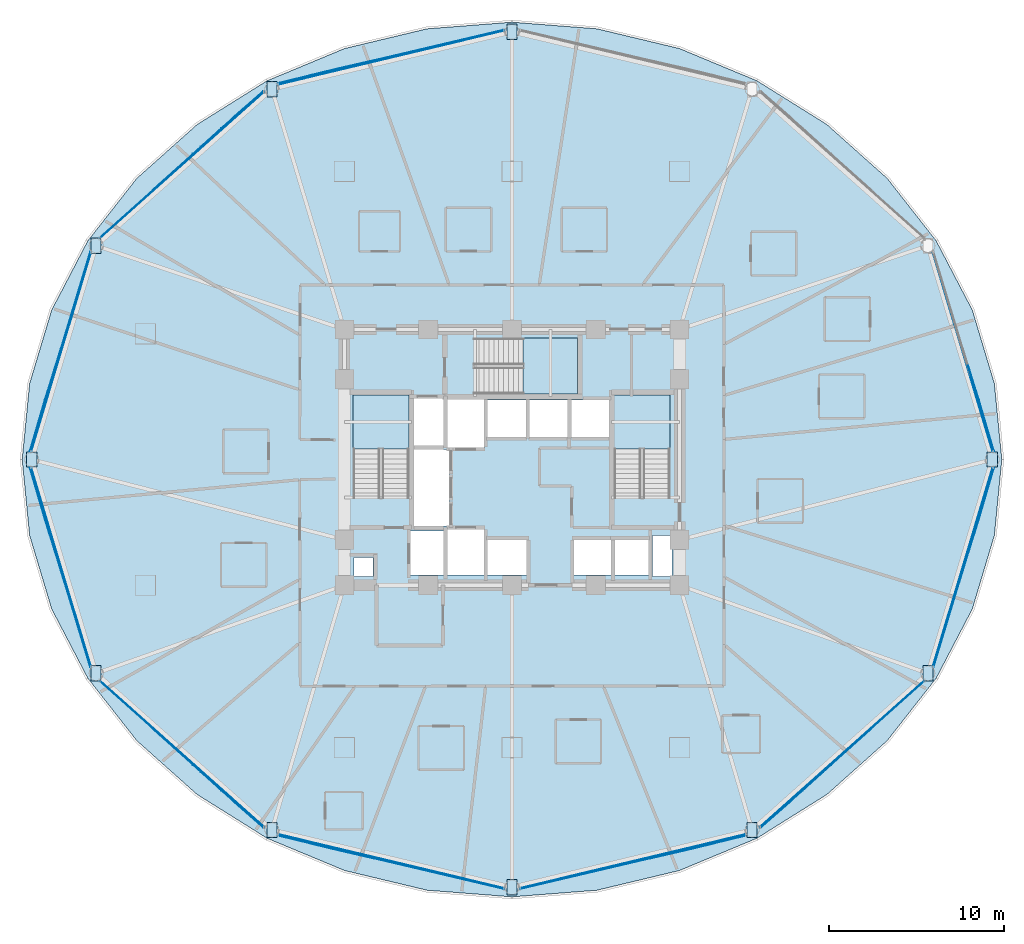
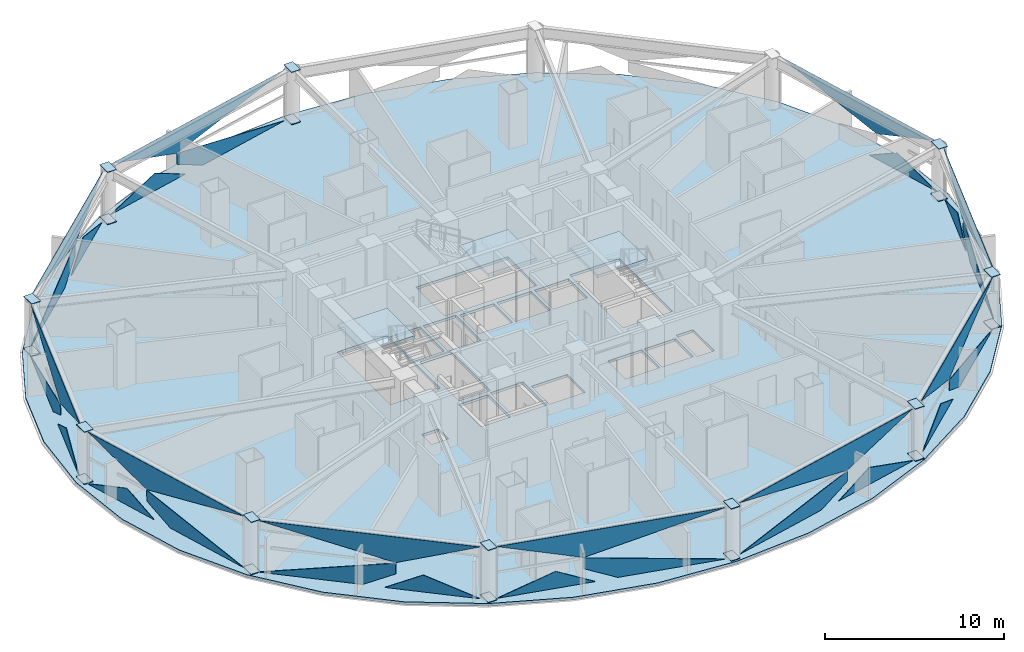
# One storey, part 20 of 30: 49 plates, 4 slabs, 13 elements without a shape of their own.
"""IFC4 building model written with IfcOpenShell, lengths in metres."""

from ifc_helpers import new_model, si_unit, direction, frame, origin, place, context, subcontext, project, spatial, polyline, outline, extrude, material, layer, layer_set, type_object, element, aggregate, save


model = new_model("IFC4")

# Units and contexts
model_context = context("Model", 3, precision=1e-05, world=origin(), true_north=direction((0.0, 1.0)))
body_context = subcontext(model_context, "Body", "Model", "MODEL_VIEW")
ifc_project = project(units=[si_unit("LENGTHUNIT", "METRE"), si_unit("AREAUNIT", "SQUARE_METRE"), si_unit("VOLUMEUNIT", "CUBIC_METRE"), si_unit("PLANEANGLEUNIT", "RADIAN"), si_unit("MASSUNIT", "GRAM", prefix="KILO")], contexts=[model_context])

# Site, building, storey
site_placement = place(None, origin())
site = spatial("IfcSite", under=ifc_project, at=site_placement, CompositionType="ELEMENT")
building_placement = place(site_placement, origin())
building = spatial("IfcBuilding", under=site, at=building_placement, Name="Vantalir Tower", CompositionType="ELEMENT")
storey_placement = place(building_placement, frame((0.0, 0.0, 83.25)))
storey = spatial("IfcBuildingStorey", under=building, at=storey_placement, Name="L20", CompositionType="ELEMENT", Elevation=83.25)

# Curtain wall, plates
ifc_material_1 = material(Name="Champagne-silver PVDF aluminium and double-silver Low-E glass", Category="aluminium")
ifc_layer_1 = layer(ifc_material_1, 0.18994140625)
ifc_layer_set_1 = layer_set([ifc_layer_1], Name="Champagne-silver PVDF aluminium and double-silver Low-E glass")
curtain_wall_type = type_object("IfcCurtainWallType", Name="CW-DIAMOND-Z1", PredefinedType="USERDEFINED", material=ifc_layer_set_1)
curtain_wall_1_placement = place(storey_placement, origin())
curtain_wall_1 = element("IfcCurtainWall", 1, at=curtain_wall_1_placement, inside=storey, type_object=curtain_wall_type, Name="L20 Quilted Pyramid-Diamond Curtain Wall S01", ObjectType="UNITISED CURTAIN WALL", PredefinedType="USERDEFINED")
ifc_material_2 = material(Name="Double-silver Low-E laminated glass IGU", Category="glass")
ifc_layer_2 = layer(ifc_material_2, 0.028076171875)
ifc_layer_set_2 = layer_set([ifc_layer_2], Name="Double-silver Low-E laminated glass IGU")
plate_type_1 = type_object("IfcPlateType", Name="CWP-IGU-28", PredefinedType="CURTAIN_PANEL", material=ifc_layer_set_2)
plate_1_placement = place(storey_placement, frame((59.0810546875, 25.4736328125, 0.046142578125), z_axis=(-0.957578167672, -0.287842441174, 0.013812380544), x_axis=(-0.287869902661, 0.957669525015, 0.0)))
plate_1 = element("IfcPlate", 2, at=plate_1_placement, type_object=plate_type_1, Name="CW-L20-S01 Pyramid Diamond Facet 1L Infill Light", PredefinedType="CURTAIN_PANEL", context=body_context, shape_type="SweptSolid", body=[
    extrude(outline(polyline([(0.0, 0.0), (5.1055235330784425, -3.469446951953614e-18), (3.0281352435632543, -1.1539186723736612), (0.0, 0.0)])), origin(), (0.0, 0.0, -1.0), 0.028076171875),
])
plate_2_placement = place(storey_placement, frame((55.61962890625, 36.877685546875, 3.523681640625), z_axis=(0.95757664021, 0.287852377892, 0.013710822934), x_axis=(0.287879706856, -0.957666577657, -2.0485285e-05)))
plate_2 = element("IfcPlate", 3, at=plate_2_placement, type_object=plate_type_1, Name="CW-L20-S01 Pyramid Diamond Facet 2U", PredefinedType="CURTAIN_PANEL", context=body_context, shape_type="SweptSolid", body=[
    extrude(outline(polyline([(0.0, 0.0), (11.917853608351962, -9.215718466126788e-18), (7.385928592858623, 1.727061818687936), (0.0, 0.0)])), origin(), (0.0, 0.0, -1.0), 0.028076171875),
])
aggregate(curtain_wall_1, [plate_1, plate_2])

curtain_wall_2_placement = place(storey_placement, origin())
curtain_wall_2 = element("IfcCurtainWall", 4, at=curtain_wall_2_placement, inside=storey, type_object=curtain_wall_type, Name="L20 Quilted Pyramid-Diamond Curtain Wall S04", ObjectType="UNITISED CURTAIN WALL", PredefinedType="USERDEFINED")
plate_3_placement = place(storey_placement, frame((31.0283203125, 49.572265625, 0.046142578125), z_axis=(0.232281713056, -0.972552925951, 0.013638621756), x_axis=(-0.972643514802, -0.232302801509, 3.9043328e-05)))
plate_3 = element("IfcPlate", 5, at=plate_3_placement, type_object=plate_type_1, Name="CW-L20-S04 Pyramid Diamond Facet 1L", PredefinedType="CURTAIN_PANEL", context=body_context, shape_type="SweptSolid", body=[
    extrude(outline(polyline([(0.0, 0.0), (6.246823008812021, -4.1470733097570545e-18), (8.220558200136333, -0.9924471318850434), (8.22045547529133, -1.727622693388198), (0.0, 0.0)])), origin(), (0.0, 0.0, -1.0), 0.028076171875),
])
plate_4_placement = place(storey_placement, frame((23.66796875, 47.84716796875, 0.0458984375), z_axis=(0.232310272364, -0.972545196224, 0.01370323522), x_axis=(-0.972636520701, -0.232332086892, 0.0)))
plate_4 = element("IfcPlate", 6, at=plate_4_placement, type_object=plate_type_1, Name="CW-L20-S04 Pyramid Diamond Facet 1L Infill Light", PredefinedType="CURTAIN_PANEL", context=body_context, shape_type="SweptSolid", body=[
    extrude(outline(polyline([(0.0, 0.0), (5.704934995658698, 3.469446951953614e-18), (2.3112519453179154, -1.1624626635871735), (0.0, 0.0)])), origin(), (0.0, 0.0, -1.0), 0.028076171875),
])
plate_5_placement = place(storey_placement, frame((18.126708984375, 46.49072265625, 3.523681640625), z_axis=(-0.232292947005, 0.972549578868, 0.013685883798), x_axis=(0.972640672594, 0.232314704693, 0.0)))
plate_5 = element("IfcPlate", 7, at=plate_5_placement, type_object=plate_type_1, Name="CW-L20-S04 Pyramid Diamond Facet 2U", PredefinedType="CURTAIN_PANEL", context=body_context, shape_type="SweptSolid", body=[
    extrude(outline(polyline([(0.0, 0.0), (13.264519664513143, 0.0), (5.044131930112204, 1.7277008722142413), (0.0, 0.0)])), origin(), (0.0, 0.0, -1.0), 0.028076171875),
])
aggregate(curtain_wall_2, [plate_3, plate_4, plate_5])

curtain_wall_3_placement = place(storey_placement, origin())
curtain_wall_3 = element("IfcCurtainWall", 8, at=curtain_wall_3_placement, inside=storey, type_object=curtain_wall_type, Name="L20 Quilted Pyramid-Diamond Curtain Wall S05", ObjectType="UNITISED CURTAIN WALL", PredefinedType="USERDEFINED")
plate_6_placement = place(storey_placement, frame((12.30859375, 41.611328125, 0.04638671875), z_axis=(0.665413720799, -0.746346969178, 0.01381237749), x_axis=(-0.746418173633, -0.665477204771, -4.696e-08)))
plate_6 = element("IfcPlate", 9, at=plate_6_placement, type_object=plate_type_1, Name="CW-L20-S05 Pyramid Diamond Facet 1L", PredefinedType="CURTAIN_PANEL", context=body_context, shape_type="SweptSolid", body=[
    extrude(outline(polyline([(0.0, 0.0), (5.930358135075642, -6.938893903907228e-18), (-1.879103915347953, -1.7274596253965182), (-1.8791697780892642, -0.9905726449986574), (0.0, 0.0)])), origin(), (0.0, 0.0, -1.0), 0.028076171875),
])
plate_7_placement = place(storey_placement, frame((17.271728515625, 46.0791015625, 0.046142578125), z_axis=(0.665405108948, -0.746355021701, 0.013792119775), x_axis=(-0.746425603867, -0.665468869188, -4.5101245e-05)))
plate_7 = element("IfcPlate", 10, at=plate_7_placement, type_object=plate_type_1, Name="CW-L20-S05 Pyramid Diamond Facet 1L Infill Light", PredefinedType="CURTAIN_PANEL", context=body_context, shape_type="SweptSolid", body=[
    extrude(outline(polyline([(0.0, 0.0), (5.41316820165072, 1.599198204416119e-18), (3.2166018836280044, -1.1579700589344415), (0.0, 0.0)])), origin(), (0.0, 0.0, -1.0), 0.028076171875),
])
plate_8_placement = place(storey_placement, frame((7.882080078125, 37.664794921875, 3.523681640625), z_axis=(-0.665424845169, 0.746338025674, 0.013759609903), x_axis=(0.74640850916, 0.665488044279, -1.9363595e-05)))
plate_8 = element("IfcPlate", 11, at=plate_8_placement, type_object=plate_type_1, Name="CW-L20-S05 Pyramid Diamond Facet 2U", PredefinedType="CURTAIN_PANEL", context=body_context, shape_type="SweptSolid", body=[
    extrude(outline(polyline([(0.0, 0.0), (12.608228009702824, 2.211772431870429e-17), (7.809495760461444, 1.727307222853719), (0.0, 0.0)])), origin(), (0.0, 0.0, -1.0), 0.028076171875),
])
aggregate(curtain_wall_3, [plate_6, plate_7, plate_8])

curtain_wall_4_placement = place(storey_placement, origin())
curtain_wall_4 = element("IfcCurtainWall", 12, at=curtain_wall_4_placement, inside=storey, type_object=curtain_wall_type, Name="L20 Quilted Pyramid-Diamond Curtain Wall S06", ObjectType="UNITISED CURTAIN WALL", PredefinedType="USERDEFINED")
plate_9_placement = place(storey_placement, frame((7.38037109375, 36.877685546875, 0.04638671875), z_axis=(0.957578742178, -0.287846468105, 0.013688072475), x_axis=(-0.287873440575, -0.957668461531, 2.09266e-07)))
plate_9 = element("IfcPlate", 13, at=plate_9_placement, type_object=plate_type_1, Name="CW-L20-S06 Pyramid Diamond Facet 1L", PredefinedType="CURTAIN_PANEL", context=body_context, shape_type="SweptSolid", body=[
    extrude(outline(polyline([(0.0, 0.0), (5.597064399587824, -6.938893903907228e-18), (7.385653867594338, -0.9937438981254719), (7.385893421593796, -1.727212222603705), (0.0, 0.0)])), origin(), (0.0, 0.0, -1.0), 0.028076171875),
])
plate_10_placement = place(storey_placement, frame((5.388671875, 30.363037109375, 0.046142578125), z_axis=(0.957578167672, -0.287842441174, 0.013812380544), x_axis=(-0.287869902661, -0.957669525015, 0.0)))
plate_10 = element("IfcPlate", 14, at=plate_10_placement, type_object=plate_type_1, Name="CW-L20-S06 Pyramid Diamond Facet 1L Infill Light", PredefinedType="CURTAIN_PANEL", context=body_context, shape_type="SweptSolid", body=[
    extrude(outline(polyline([(0.0, 0.0), (5.1055235330784425, 3.469446951953614e-18), (2.0773882895151883, -1.1539186723736612), (0.0, 0.0)])), origin(), (0.0, 0.0, -1.0), 0.028076171875),
])
plate_11_placement = place(storey_placement, frame((3.949462890625, 25.46435546875, 3.5234375), z_axis=(-0.95757664021, 0.287852377892, 0.013710822934), x_axis=(0.287879706856, 0.957666577657, 2.0485285e-05)))
plate_11 = element("IfcPlate", 15, at=plate_11_placement, type_object=plate_type_1, Name="CW-L20-S06 Pyramid Diamond Facet 2U", PredefinedType="CURTAIN_PANEL", context=body_context, shape_type="SweptSolid", body=[
    extrude(outline(polyline([(0.0, 0.0), (11.917853608351962, 9.215718466126788e-18), (4.531925015493341, 1.727061818687936), (0.0, 0.0)])), origin(), (0.0, 0.0, -1.0), 0.028076171875),
])
aggregate(curtain_wall_4, [plate_9, plate_10, plate_11])

curtain_wall_5_placement = place(storey_placement, origin())
curtain_wall_5 = element("IfcCurtainWall", 16, at=curtain_wall_5_placement, inside=storey, type_object=curtain_wall_type, Name="L20 Quilted Pyramid-Diamond Curtain Wall S07", ObjectType="UNITISED CURTAIN WALL", PredefinedType="USERDEFINED")
plate_12_placement = place(storey_placement, frame((5.76904296875, 18.48193359375, 0.04638671875), z_axis=(0.957587837711, 0.287814572904, 0.013722415693), x_axis=(0.287841679358, -0.957678008322, -3.20296e-07)))
plate_12 = element("IfcPlate", 17, at=plate_12_placement, type_object=plate_type_1, Name="CW-L20-S07 Pyramid Diamond Facet 1L", PredefinedType="CURTAIN_PANEL", context=body_context, shape_type="SweptSolid", body=[
    extrude(outline(polyline([(0.0, 0.0), (5.597532009886877, -3.469446951953614e-18), (-1.7888284286821192, -1.7272128370936624), (-1.7888229371678879, -0.9937435456248505), (0.0, 0.0)])), origin(), (0.0, 0.0, -1.0), 0.028076171875),
])
plate_13_placement = place(storey_placement, frame((3.9189453125, 24.5263671875, 0.046142578125), z_axis=(0.957586241187, 0.287816125216, 0.013801041839), x_axis=(0.287843539121, -0.957677449346, 0.0)))
plate_13 = element("IfcPlate", 18, at=plate_13_placement, type_object=plate_type_1, Name="CW-L20-S07 Pyramid Diamond Facet 1L Infill Light", PredefinedType="CURTAIN_PANEL", context=body_context, shape_type="SweptSolid", body=[
    extrude(outline(polyline([(0.0, 0.0), (5.105991147085944, 0.0), (3.0283694891498683, -1.1539184916930134), (0.0, 0.0)])), origin(), (0.0, 0.0, -1.0), 0.028076171875),
])
plate_14_placement = place(storey_placement, frame((7.38037109375, 13.121337890625, 3.523681640625), z_axis=(-0.95758317367, -0.2878297138, 0.013730308029), x_axis=(-0.287857117969, 0.957673367707, -2.0483677e-05)))
plate_14 = element("IfcPlate", 19, at=plate_14_placement, type_object=plate_type_1, Name="CW-L20-S07 Pyramid Diamond Facet 2U", PredefinedType="CURTAIN_PANEL", context=body_context, shape_type="SweptSolid", body=[
    extrude(outline(polyline([(0.0, 0.0), (11.918788832934789, -4.336808689942018e-19), (7.386395643442273, 1.7270622828043372), (0.0, 0.0)])), origin(), (0.0, 0.0, -1.0), 0.028076171875),
])
aggregate(curtain_wall_5, [plate_12, plate_13, plate_14])

curtain_wall_6_placement = place(storey_placement, origin())
curtain_wall_6 = element("IfcCurtainWall", 20, at=curtain_wall_6_placement, inside=storey, type_object=curtain_wall_type, Name="L20 Quilted Pyramid-Diamond Curtain Wall S08", ObjectType="UNITISED CURTAIN WALL", PredefinedType="USERDEFINED")
plate_15_placement = place(storey_placement, frame((7.882080078125, 12.334228515625, 0.04638671875), z_axis=(0.665365004547, 0.746391028874, 0.0137783432), x_axis=(0.746461886458, -0.66542817198, 1.05114e-07)))
plate_15 = element("IfcPlate", 21, at=plate_15_placement, type_object=plate_type_1, Name="CW-L20-S08 Pyramid Diamond Facet 1L", PredefinedType="CURTAIN_PANEL", context=body_context, shape_type="SweptSolid", body=[
    extrude(outline(polyline([(0.0, 0.0), (5.930033204856878, -6.938893903907228e-18), (7.809039681000928, -0.9905717256744677), (7.80897319119249, -1.727458704903144), (0.0, 0.0)])), origin(), (0.0, 0.0, -1.0), 0.028076171875),
])
plate_16_placement = place(storey_placement, frame((13.231201171875, 7.522705078125, 0.0458984375), z_axis=(0.665355125604, 0.746400128192, 0.013762465867), x_axis=(0.746470410516, -0.665418608238, 4.5103952e-05)))
plate_16 = element("IfcPlate", 22, at=plate_16_placement, type_object=plate_type_1, Name="CW-L20-S08 Pyramid Diamond Facet 1L Infill Light", PredefinedType="CURTAIN_PANEL", context=body_context, shape_type="SweptSolid", body=[
    extrude(outline(polyline([(0.0, 0.0), (5.412843277949808, -4.092863201132779e-18), (2.196402785089413, -1.15796958718478), (0.0, 0.0)])), origin(), (0.0, 0.0, -1.0), 0.028076171875),
])
plate_17_placement = place(storey_placement, frame((17.29296875, 3.944580078125, 3.5234375), z_axis=(-0.665382198487, -0.746377060574, 0.013704502405), x_axis=(-0.746446983496, 0.665444889119, 1.9364593e-05)))
plate_17 = element("IfcPlate", 23, at=plate_17_placement, type_object=plate_type_1, Name="CW-L20-S08 Pyramid Diamond Facet 2U", PredefinedType="CURTAIN_PANEL", context=body_context, shape_type="SweptSolid", body=[
    extrude(outline(polyline([(0.0, 0.0), (12.607578140105895, 8.456776945386935e-18), (4.798571151473445, 1.7273059171567846), (0.0, 0.0)])), origin(), (0.0, 0.0, -1.0), 0.028076171875),
])
aggregate(curtain_wall_6, [plate_15, plate_16, plate_17])

curtain_wall_7_placement = place(storey_placement, origin())
curtain_wall_7 = element("IfcCurtainWall", 24, at=curtain_wall_7_placement, inside=storey, type_object=curtain_wall_type, Name="L20 Quilted Pyramid-Diamond Curtain Wall S09", ObjectType="UNITISED CURTAIN WALL", PredefinedType="USERDEFINED")
plate_18_placement = place(storey_placement, frame((24.952392578125, 1.87890625, 0.04638671875), z_axis=(0.232281713056, 0.972552925951, 0.013638621756), x_axis=(0.972643514802, -0.232302801509, -3.9043328e-05)))
plate_18 = element("IfcPlate", 25, at=plate_18_placement, type_object=plate_type_1, Name="CW-L20-S09 Pyramid Diamond Facet 1L", PredefinedType="CURTAIN_PANEL", context=body_context, shape_type="SweptSolid", body=[
    extrude(outline(polyline([(0.0, 0.0), (6.246823008812021, 4.1470733097570545e-18), (-1.9736324664793066, -1.7276226933881977), (-1.973735191324312, -0.9924471318850434), (0.0, 0.0)])), origin(), (0.0, 0.0, -1.0), 0.028076171875),
])
plate_19_placement = place(storey_placement, frame((18.119140625, 3.478271484375, 0.0458984375), z_axis=(0.232310272364, 0.972545196224, 0.01370323522), x_axis=(0.972636520701, -0.232332086892, 0.0)))
plate_19 = element("IfcPlate", 26, at=plate_19_placement, type_object=plate_type_1, Name="CW-L20-S09 Pyramid Diamond Facet 1L Infill Light", PredefinedType="CURTAIN_PANEL", context=body_context, shape_type="SweptSolid", body=[
    extrude(outline(polyline([(0.0, 0.0), (5.704934995658698, -3.469446951953614e-18), (3.3936830503407838, -1.1624626635871735), (0.0, 0.0)])), origin(), (0.0, 0.0, -1.0), 0.028076171875),
])
plate_20_placement = place(storey_placement, frame((31.0283203125, 0.427734375, 3.523681640625), z_axis=(-0.232292947005, -0.972549578868, 0.013685883798), x_axis=(-0.972640672594, 0.232314704693, 0.0)))
plate_20 = element("IfcPlate", 27, at=plate_20_placement, type_object=plate_type_1, Name="CW-L20-S09 Pyramid Diamond Facet 2U", PredefinedType="CURTAIN_PANEL", context=body_context, shape_type="SweptSolid", body=[
    extrude(outline(polyline([(0.0, 0.0), (13.264519664513143, 0.0), (8.22038773440094, 1.7277008722142413), (0.0, 0.0)])), origin(), (0.0, 0.0, -1.0), 0.028076171875),
])
aggregate(curtain_wall_7, [plate_18, plate_19, plate_20])

curtain_wall_8_placement = place(storey_placement, origin())
curtain_wall_8 = element("IfcCurtainWall", 28, at=curtain_wall_8_placement, inside=storey, type_object=curtain_wall_type, Name="L20 Quilted Pyramid-Diamond Curtain Wall S10", ObjectType="UNITISED CURTAIN WALL", PredefinedType="USERDEFINED")
plate_21_placement = place(storey_placement, frame((31.9716796875, 0.427734375, 0.046142578125), z_axis=(-0.232281713056, 0.972552925951, 0.013638621756), x_axis=(0.972643514802, 0.232302801509, 3.9043328e-05)))
plate_21 = element("IfcPlate", 29, at=plate_21_placement, type_object=plate_type_1, Name="CW-L20-S10 Pyramid Diamond Facet 1L", PredefinedType="CURTAIN_PANEL", context=body_context, shape_type="SweptSolid", body=[
    extrude(outline(polyline([(0.0, 0.0), (6.246823008812021, -4.1470733097570545e-18), (8.220558200136333, -0.9924471318850434), (8.22045547529133, -1.727622693388198), (0.0, 0.0)])), origin(), (0.0, 0.0, -1.0), 0.028076171875),
])
plate_22_placement = place(storey_placement, frame((39.33203125, 2.15283203125, 0.0458984375), z_axis=(-0.232310272364, 0.972545196224, 0.01370323522), x_axis=(0.972636520701, 0.232332086892, 0.0)))
plate_22 = element("IfcPlate", 30, at=plate_22_placement, type_object=plate_type_1, Name="CW-L20-S10 Pyramid Diamond Facet 1L Infill Light", PredefinedType="CURTAIN_PANEL", context=body_context, shape_type="SweptSolid", body=[
    extrude(outline(polyline([(0.0, 0.0), (5.704934995658698, 3.469446951953614e-18), (2.3112519453179154, -1.1624626635871735), (0.0, 0.0)])), origin(), (0.0, 0.0, -1.0), 0.028076171875),
])
plate_23_placement = place(storey_placement, frame((44.873291015625, 3.50927734375, 3.523681640625), z_axis=(0.232292947005, -0.972549578868, 0.013685883798), x_axis=(-0.972640672594, -0.232314704693, 0.0)))
plate_23 = element("IfcPlate", 31, at=plate_23_placement, type_object=plate_type_1, Name="CW-L20-S10 Pyramid Diamond Facet 2U", PredefinedType="CURTAIN_PANEL", context=body_context, shape_type="SweptSolid", body=[
    extrude(outline(polyline([(0.0, 0.0), (13.264519664513143, 0.0), (5.044131930112204, 1.7277008722142413), (0.0, 0.0)])), origin(), (0.0, 0.0, -1.0), 0.028076171875),
])
aggregate(curtain_wall_8, [plate_21, plate_22, plate_23])

curtain_wall_9_placement = place(storey_placement, origin())
curtain_wall_9 = element("IfcCurtainWall", 32, at=curtain_wall_9_placement, inside=storey, type_object=curtain_wall_type, Name="L20 Quilted Pyramid-Diamond Curtain Wall S11", ObjectType="UNITISED CURTAIN WALL", PredefinedType="USERDEFINED")
plate_24_placement = place(storey_placement, frame((50.69140625, 8.38818359375, 0.04638671875), z_axis=(-0.665365004547, 0.746391028874, 0.0137783432), x_axis=(0.746461886458, 0.66542817198, -1.05114e-07)))
plate_24 = element("IfcPlate", 33, at=plate_24_placement, type_object=plate_type_1, Name="CW-L20-S11 Pyramid Diamond Facet 1L", PredefinedType="CURTAIN_PANEL", context=body_context, shape_type="SweptSolid", body=[
    extrude(outline(polyline([(0.0, 0.0), (5.930033204856878, 6.938893903907228e-18), (-1.8789399863356115, -1.727458704903144), (-1.8790064761440508, -0.9905717256744677), (0.0, 0.0)])), origin(), (0.0, 0.0, -1.0), 0.028076171875),
])
plate_25_placement = place(storey_placement, frame((45.728271484375, 3.9208984375, 0.046142578125), z_axis=(-0.665355125604, 0.746400128192, 0.013762465867), x_axis=(0.746470410516, 0.665418608238, -4.5103952e-05)))
plate_25 = element("IfcPlate", 34, at=plate_25_placement, type_object=plate_type_1, Name="CW-L20-S11 Pyramid Diamond Facet 1L Infill Light", PredefinedType="CURTAIN_PANEL", context=body_context, shape_type="SweptSolid", body=[
    extrude(outline(polyline([(0.0, 0.0), (5.412843277949808, 4.092863201132779e-18), (3.2164404928603947, -1.15796958718478), (0.0, 0.0)])), origin(), (0.0, 0.0, -1.0), 0.028076171875),
])
plate_26_placement = place(storey_placement, frame((55.117919921875, 12.334228515625, 3.523681640625), z_axis=(0.665382198487, -0.746377060574, 0.013704502405), x_axis=(-0.746446983496, -0.665444889119, -1.9364593e-05)))
plate_26 = element("IfcPlate", 35, at=plate_26_placement, type_object=plate_type_1, Name="CW-L20-S11 Pyramid Diamond Facet 2U", PredefinedType="CURTAIN_PANEL", context=body_context, shape_type="SweptSolid", body=[
    extrude(outline(polyline([(0.0, 0.0), (12.607578140105895, -8.456776945386935e-18), (7.80900698863245, 1.7273059171567846), (0.0, 0.0)])), origin(), (0.0, 0.0, -1.0), 0.028076171875),
])
aggregate(curtain_wall_9, [plate_24, plate_25, plate_26])

curtain_wall_10_placement = place(storey_placement, origin())
curtain_wall_10 = element("IfcCurtainWall", 36, at=curtain_wall_10_placement, inside=storey, type_object=curtain_wall_type, Name="L20 Quilted Pyramid-Diamond Curtain Wall S12", ObjectType="UNITISED CURTAIN WALL", PredefinedType="USERDEFINED")
plate_27_placement = place(storey_placement, frame((55.61962890625, 13.121337890625, 0.04638671875), z_axis=(-0.957587837711, 0.287814572904, 0.013722415693), x_axis=(0.287841679358, 0.957678008322, 3.20296e-07)))
plate_27 = element("IfcPlate", 37, at=plate_27_placement, type_object=plate_type_1, Name="CW-L20-S12 Pyramid Diamond Facet 1L", PredefinedType="CURTAIN_PANEL", context=body_context, shape_type="SweptSolid", body=[
    extrude(outline(polyline([(0.0, 0.0), (5.597532009886877, 3.469446951953614e-18), (7.386354947054764, -0.9937435456248505), (7.386360438568997, -1.7272128370936624), (0.0, 0.0)])), origin(), (0.0, 0.0, -1.0), 0.028076171875),
])
plate_28_placement = place(storey_placement, frame((57.611328125, 19.636474609375, 0.046142578125), z_axis=(-0.957586241187, 0.287816125216, 0.013801041839), x_axis=(0.287843539121, 0.957677449346, 0.0)))
plate_28 = element("IfcPlate", 38, at=plate_28_placement, type_object=plate_type_1, Name="CW-L20-S12 Pyramid Diamond Facet 1L Infill Light", PredefinedType="CURTAIN_PANEL", context=body_context, shape_type="SweptSolid", body=[
    extrude(outline(polyline([(0.0, 0.0), (5.105991147085944, 0.0), (2.077621657936075, -1.1539184916930134), (0.0, 0.0)])), origin(), (0.0, 0.0, -1.0), 0.028076171875),
])
plate_29_placement = place(storey_placement, frame((59.050537109375, 24.53564453125, 3.5234375), z_axis=(0.95758317367, -0.2878297138, 0.013730308029), x_axis=(-0.287857117969, -0.957673367707, 2.0483677e-05)))
plate_29 = element("IfcPlate", 39, at=plate_29_placement, type_object=plate_type_1, Name="CW-L20-S12 Pyramid Diamond Facet 2U", PredefinedType="CURTAIN_PANEL", context=body_context, shape_type="SweptSolid", body=[
    extrude(outline(polyline([(0.0, 0.0), (11.918788832934789, 4.336808689942018e-19), (4.532393189492517, 1.727062282804337), (0.0, 0.0)])), origin(), (0.0, 0.0, -1.0), 0.028076171875),
])
aggregate(curtain_wall_10, [plate_27, plate_28, plate_29])

# Plates
ifc_material_3 = material(Name="Steel S460", Category="steel")
ifc_layer_3 = layer(ifc_material_3, 0.035888671875)
ifc_layer_set_3 = layer_set([ifc_layer_3], Name="Steel S460")
plate_type_2 = type_object("IfcPlateType", Name="PLT-KN-Z2", PredefinedType="USERDEFINED", material=ifc_layer_set_3)
for number, where, z_axis, x_axis, name in (
    (40, (58.7099609375, 25.43994140625, 3.597900390625), (0.0, 0.0, 1.0), (0.0, -1.0, 0.0), "L20 Ring Column Top Cap RC01"),
    (41, (58.7099609375, 25.43994140625, 0.052978515625), (0.0, 0.0, 1.0), (0.0, -1.0, 0.0), "L20 Ring Column Base Cap RC01"),
):
    element("IfcPlate", number, at=place(storey_placement, frame(where, z_axis=z_axis, x_axis=x_axis)), inside=storey, type_object=plate_type_2, Name=name, ObjectType="FLANGE_PLATE", PredefinedType="USERDEFINED", context=body_context, shape_type="SweptSolid", body=[
        extrude(outline(polyline([(0.0, 0.0), (0.8798828125, 0.0), (0.8798828125, 0.580078125), (0.0, 0.580078125), (0.0, 0.0)])), origin(), (0.0, 0.0, -1.0), 0.035888671875),
    ])
for number, where, z_axis, x_axis, name in (
    (42, (31.2099609375, 49.93505859375, 3.597900390625), (0.0, 0.0, 1.0), (0.0, -1.0, 0.0), "L20 Ring Column Top Cap RC04"),
    (43, (31.2099609375, 49.93505859375, 0.052978515625), (0.0, 0.0, 1.0), (0.0, -1.0, 0.0), "L20 Ring Column Base Cap RC04"),
    (44, (17.4599609375, 46.653076171875, 3.597900390625), (0.0, 0.0, 1.0), (0.0, -1.0, 0.0), "L20 Ring Column Top Cap RC05"),
    (45, (17.4599609375, 46.653076171875, 0.052978515625), (0.0, 0.0, 1.0), (0.0, -1.0, 0.0), "L20 Ring Column Base Cap RC05"),
    (46, (7.39404296875, 37.68701171875, 3.597900390625), (0.0, 0.0, 1.0), (0.0, -1.0, 0.0), "L20 Ring Column Top Cap RC06"),
    (47, (7.39404296875, 37.68701171875, 0.052978515625), (0.0, 0.0, 1.0), (0.0, -1.0, 0.0), "L20 Ring Column Base Cap RC06"),
):
    element("IfcPlate", number, at=place(storey_placement, frame(where, z_axis=z_axis, x_axis=x_axis)), inside=storey, type_object=plate_type_2, Name=name, ObjectType="FLANGE_PLATE", PredefinedType="USERDEFINED", context=body_context, shape_type="SweptSolid", body=[
        extrude(outline(polyline([(0.0, 0.0), (0.880126953125, 0.0), (0.880126953125, 0.580078125), (0.0, 0.580078125), (0.0, 0.0)])), origin(), (0.0, 0.0, -1.0), 0.035888671875),
    ])
for number, where, z_axis, x_axis, name in (
    (48, (3.7099609375, 25.43994140625, 3.597900390625), (0.0, 0.0, 1.0), (0.0, -1.0, 0.0), "L20 Ring Column Top Cap RC07"),
    (49, (3.7099609375, 25.43994140625, 0.052978515625), (0.0, 0.0, 1.0), (0.0, -1.0, 0.0), "L20 Ring Column Base Cap RC07"),
    (50, (7.39404296875, 13.19189453125, 3.597900390625), (0.0, 0.0, 1.0), (0.0, -1.0, 0.0), "L20 Ring Column Top Cap RC08"),
    (51, (7.39404296875, 13.19189453125, 0.052978515625), (0.0, 0.0, 1.0), (0.0, -1.0, 0.0), "L20 Ring Column Base Cap RC08"),
):
    element("IfcPlate", number, at=place(storey_placement, frame(where, z_axis=z_axis, x_axis=x_axis)), inside=storey, type_object=plate_type_2, Name=name, ObjectType="FLANGE_PLATE", PredefinedType="USERDEFINED", context=body_context, shape_type="SweptSolid", body=[
        extrude(outline(polyline([(0.0, 0.0), (0.8798828125, 0.0), (0.8798828125, 0.580078125), (0.0, 0.580078125), (0.0, 0.0)])), origin(), (0.0, 0.0, -1.0), 0.035888671875),
    ])
for number, where, z_axis, x_axis, name in (
    (52, (17.4599609375, 4.22705078125, 3.597900390625), (0.0, 0.0, 1.0), (0.0, -1.0, 0.0), "L20 Ring Column Top Cap RC09"),
    (53, (17.4599609375, 4.22705078125, 0.052978515625), (0.0, 0.0, 1.0), (0.0, -1.0, 0.0), "L20 Ring Column Base Cap RC09"),
    (54, (31.2099609375, 0.945068359375, 3.597900390625), (0.0, 0.0, 1.0), (0.0, -1.0, 0.0), "L20 Ring Column Top Cap RC10"),
    (55, (31.2099609375, 0.945068359375, 0.052978515625), (0.0, 0.0, 1.0), (0.0, -1.0, 0.0), "L20 Ring Column Base Cap RC10"),
    (56, (44.9599609375, 4.22705078125, 3.597900390625), (0.0, 0.0, 1.0), (0.0, -1.0, 0.0), "L20 Ring Column Top Cap RC11"),
    (57, (44.9599609375, 4.22705078125, 0.052978515625), (0.0, 0.0, 1.0), (0.0, -1.0, 0.0), "L20 Ring Column Base Cap RC11"),
):
    element("IfcPlate", number, at=place(storey_placement, frame(where, z_axis=z_axis, x_axis=x_axis)), inside=storey, type_object=plate_type_2, Name=name, ObjectType="FLANGE_PLATE", PredefinedType="USERDEFINED", context=body_context, shape_type="SweptSolid", body=[
        extrude(outline(polyline([(0.0, 0.0), (0.880126953125, 0.0), (0.880126953125, 0.580078125), (0.0, 0.580078125), (0.0, 0.0)])), origin(), (0.0, 0.0, -1.0), 0.035888671875),
    ])
for number, where, z_axis, x_axis, name in (
    (58, (55.02587890625, 13.19189453125, 3.597900390625), (0.0, 0.0, 1.0), (0.0, -1.0, 0.0), "L20 Ring Column Top Cap RC12"),
    (59, (55.02587890625, 13.19189453125, 0.052978515625), (0.0, 0.0, 1.0), (0.0, -1.0, 0.0), "L20 Ring Column Base Cap RC12"),
):
    element("IfcPlate", number, at=place(storey_placement, frame(where, z_axis=z_axis, x_axis=x_axis)), inside=storey, type_object=plate_type_2, Name=name, ObjectType="FLANGE_PLATE", PredefinedType="USERDEFINED", context=body_context, shape_type="SweptSolid", body=[
        extrude(outline(polyline([(0.0, 0.0), (0.8798828125, 0.0), (0.8798828125, 0.580078125), (0.0, 0.580078125), (0.0, 0.0)])), origin(), (0.0, 0.0, -1.0), 0.035888671875),
    ])

# Stair, slab
ifc_material_4 = material(Name="Concrete C40/50", Category="concrete")
stair_type = type_object("IfcStairType", Name="STR-CORE-1450", PredefinedType="HALF_TURN_STAIR", material=ifc_material_4)
stair_1_placement = place(storey_placement, origin())
stair_1 = element("IfcStair", 60, at=stair_1_placement, inside=storey, type_object=stair_type, Name="L20 Core Exit Stair 1", PredefinedType="HALF_TURN_STAIR")
ifc_layer_4 = layer(ifc_material_4, 0.199951171875)
ifc_layer_set_4 = layer_set([ifc_layer_4], Name="Concrete C40/50")
slab_type_1 = type_object("IfcSlabType", Name="SL-LAND-200", PredefinedType="LANDING", material=ifc_layer_set_4)
slab_1_placement = place(storey_placement, frame((0.0, 0.0, 1.675048828125)))
slab_1 = element("IfcSlab", 61, at=slab_1_placement, type_object=slab_type_1, Name="ST1 landing 1", PredefinedType="LANDING", context=body_context, shape_type="SweptSolid", body=[
    extrude(outline(polyline([(25.60009765625, 25.590087890625), (25.60009765625, 28.699951171875), (22.39990234375, 28.699951171875), (22.39990234375, 25.590087890625), (25.60009765625, 25.590087890625)])), origin(), (0.0, 0.0, 1.0), 0.199951171875),
])
aggregate(stair_1, [slab_1])

stair_2_placement = place(storey_placement, origin())
stair_2 = element("IfcStair", 62, at=stair_2_placement, inside=storey, type_object=stair_type, Name="L20 Core Exit Stair 2", PredefinedType="HALF_TURN_STAIR")
slab_2_placement = place(storey_placement, frame((0.0, 0.0, 1.675048828125)))
slab_2 = element("IfcSlab", 63, at=slab_2_placement, type_object=slab_type_1, Name="ST2 landing 1", PredefinedType="LANDING", context=body_context, shape_type="SweptSolid", body=[
    extrude(outline(polyline([(40.550048828125, 25.590087890625), (40.550048828125, 28.699951171875), (37.35009765625, 28.699951171875), (37.35009765625, 25.590087890625), (40.550048828125, 25.590087890625)])), origin(), (0.0, 0.0, 1.0), 0.199951171875),
])
aggregate(stair_2, [slab_2])

stair_3_placement = place(storey_placement, origin())
stair_3 = element("IfcStair", 64, at=stair_3_placement, inside=storey, type_object=stair_type, Name="L20 Core Exit Stair 3", PredefinedType="HALF_TURN_STAIR")
slab_3_placement = place(storey_placement, frame((0.0, 0.0, 1.675048828125)))
slab_3 = element("IfcSlab", 65, at=slab_3_placement, type_object=slab_type_1, Name="ST3 landing 1", PredefinedType="LANDING", context=body_context, shape_type="SweptSolid", body=[
    extrude(outline(polyline([(32.139892578125, 28.75), (35.25, 28.75), (35.25, 31.949951171875), (32.139892578125, 31.949951171875), (32.139892578125, 28.75)])), origin(), (0.0, 0.0, 1.0), 0.199951171875),
])
aggregate(stair_3, [slab_3])

# Slab
ifc_layer_5 = layer(ifc_material_4, 0.179931640625)
ifc_layer_set_5 = layer_set([ifc_layer_5], Name="Concrete C40/50")
slab_type_2 = type_object("IfcSlabType", Name="SL-TWR-180", PredefinedType="FLOOR", material=ifc_layer_set_5)
slab_4_placement = place(storey_placement, frame((0.0, 0.0, -0.179931640625)))
element("IfcSlab", 66, at=slab_4_placement, inside=storey, type_object=slab_type_2, Name="L20 Primary Structural Slab", PredefinedType="FLOOR", context=body_context, shape_type="SweptSolid", body=[
    extrude(outline(polyline([(7.2080078125, 12.47705078125), (10.011962890625, 8.90087890625), (13.469970703125, 5.81396484375), (17.47509765625, 3.31005859375), (21.906005859375, 1.465087890625), (26.62890625, 0.3349609375), (31.5, -0.044921875), (36.37109375, 0.3349609375), (41.093994140625, 1.465087890625), (45.52490234375, 3.31005859375), (49.530029296875, 5.81396484375), (52.988037109375, 8.90087890625), (55.7919921875, 12.47705078125), (57.85791015625, 16.43408203125), (59.1240234375, 20.65087890625), (59.550048828125, 25.0), (59.1240234375, 29.34912109375), (57.85791015625, 33.56591796875), (55.7919921875, 37.52197265625), (52.988037109375, 41.09912109375), (49.530029296875, 44.18603515625), (45.52490234375, 46.68994140625), (41.093994140625, 48.534912109375), (36.37109375, 49.6650390625), (31.5, 50.044921875), (26.62890625, 49.6650390625), (21.906005859375, 48.534912109375), (17.47509765625, 46.68994140625), (13.469970703125, 44.18603515625), (10.011962890625, 41.09912109375), (7.2080078125, 37.52197265625), (5.14208984375, 33.56591796875), (3.8759765625, 29.34912109375), (3.449951171875, 25.0), (3.8759765625, 20.65087890625), (5.14208984375, 16.43408203125), (7.2080078125, 12.47705078125)]), holes=[polyline([(22.39990234375, 22.7900390625), (22.39990234375, 28.699951171875), (25.60009765625, 28.699951171875), (25.60009765625, 22.7900390625), (22.39990234375, 22.7900390625)]), polyline([(37.35009765625, 28.699951171875), (40.550048828125, 28.699951171875), (40.550048828125, 22.7900390625), (37.35009765625, 22.7900390625), (37.35009765625, 28.699951171875)]), polyline([(35.25, 28.75), (29.340087890625, 28.75), (29.340087890625, 31.949951171875), (35.25, 31.949951171875), (35.25, 28.75)]), polyline([(27.60009765625, 18.39990234375), (25.699951171875, 18.39990234375), (25.699951171875, 20.89990234375), (27.60009765625, 20.89990234375), (27.60009765625, 18.39990234375)]), polyline([(25.699951171875, 25.800048828125), (25.699951171875, 28.5), (27.60009765625, 28.5), (27.60009765625, 25.800048828125), (25.699951171875, 25.800048828125)]), polyline([(27.800048828125, 21.0), (29.89990234375, 21.0), (29.89990234375, 18.39990234375), (27.800048828125, 18.39990234375), (27.800048828125, 21.0)]), polyline([(29.89990234375, 28.5), (29.89990234375, 25.699951171875), (27.800048828125, 25.699951171875), (27.800048828125, 28.5), (29.89990234375, 28.5)]), polyline([(32.39990234375, 18.39990234375), (30.10009765625, 18.39990234375), (30.10009765625, 20.39990234375), (32.39990234375, 20.39990234375), (32.39990234375, 18.39990234375)]), polyline([(37.35009765625, 18.39990234375), (37.35009765625, 20.39990234375), (39.35009765625, 20.39990234375), (39.35009765625, 18.39990234375), (37.35009765625, 18.39990234375)]), polyline([(35.0, 20.39990234375), (37.199951171875, 20.39990234375), (37.199951171875, 18.39990234375), (35.0, 18.39990234375), (35.0, 20.39990234375)]), polyline([(32.300048828125, 28.39990234375), (32.300048828125, 26.300048828125), (30.10009765625, 26.300048828125), (30.10009765625, 28.39990234375), (32.300048828125, 28.39990234375)]), polyline([(34.699951171875, 26.300048828125), (32.5, 26.300048828125), (32.5, 28.39990234375), (34.699951171875, 28.39990234375), (34.699951171875, 26.300048828125)]), polyline([(34.89990234375, 26.300048828125), (34.89990234375, 28.39990234375), (37.10009765625, 28.39990234375), (37.10009765625, 26.300048828125), (34.89990234375, 26.300048828125)]), polyline([(25.889892578125, 25.56005859375), (27.89990234375, 25.56005859375), (27.89990234375, 21.199951171875), (25.889892578125, 21.199951171875), (25.889892578125, 25.56005859375)]), polyline([(23.550048828125, 19.39990234375), (23.550048828125, 18.300048828125), (22.449951171875, 18.300048828125), (22.449951171875, 19.39990234375), (23.550048828125, 19.39990234375)]), polyline([(40.64990234375, 18.300048828125), (39.550048828125, 18.300048828125), (39.550048828125, 20.64990234375), (40.64990234375, 20.64990234375), (40.64990234375, 18.300048828125)])]), origin(), (0.0, 0.0, 1.0), 0.179931640625),
])

save(model, "model.ifc")
